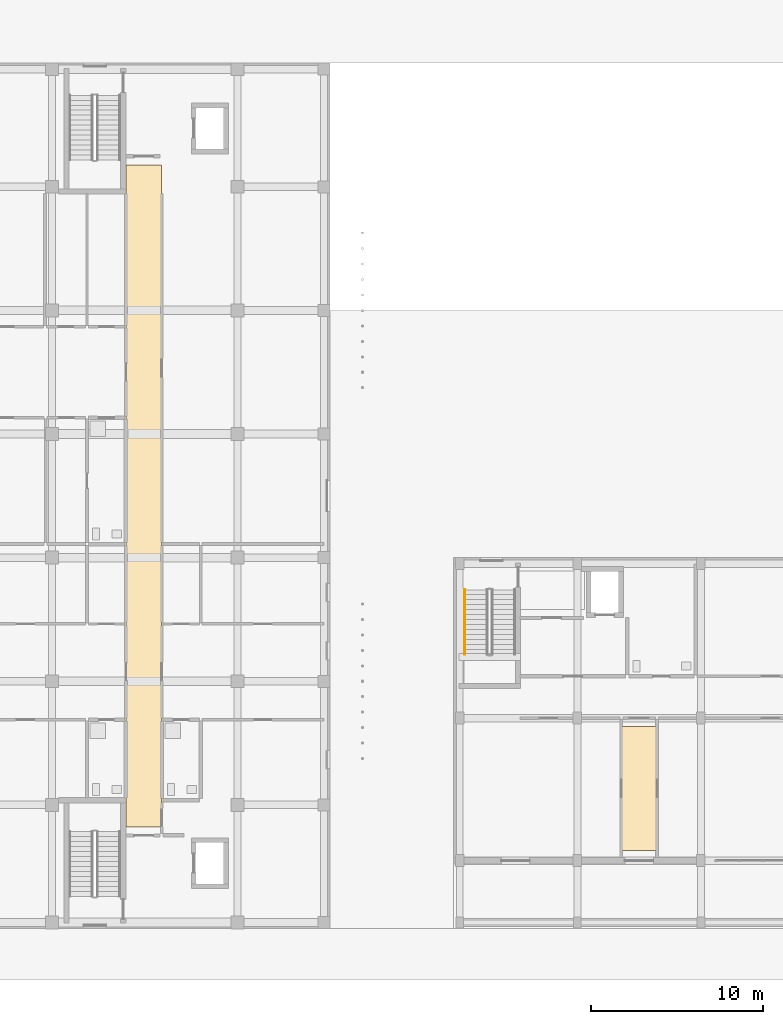
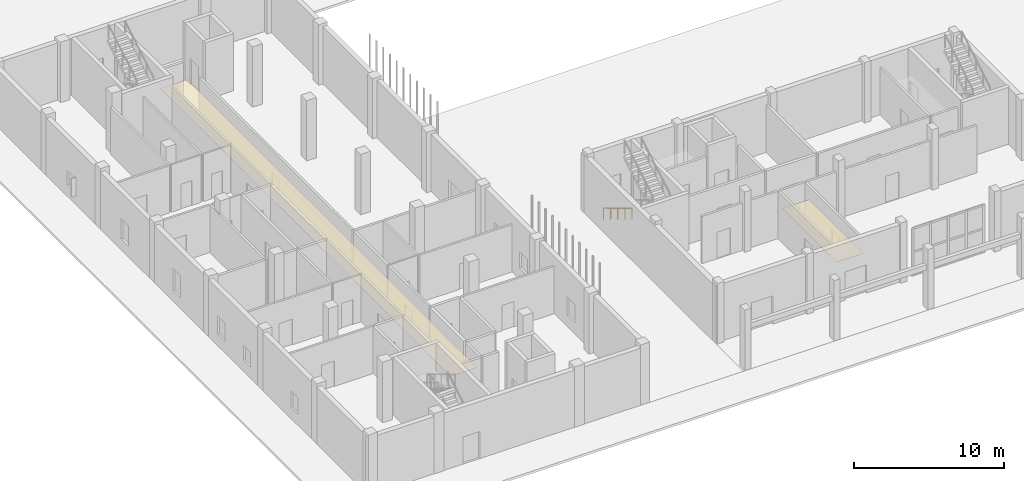
# One storey, part 59 of 85: 2 coverings, 1 railing.
"""IFC4 building model written with IfcOpenShell, lengths in metres."""

import ifcopenshell
import ifcopenshell.guid

model = None  # the IFC model being written
_history = None  # IfcOwnerHistory: only IFC2X3 demands one
_inside = {}  # id of a spatial element -> (the spatial element, [elements in it])
_under = {}  # id of a project, library or spatial element -> (it, [spatial elements below it])
_declared = {}  # id of a project -> (the project, [libraries it declares])
_typed = {}  # id of a type object -> (the type object, [elements of that type])
_made_of = {}  # id of a material, layer set ... -> (it, [elements and type objects made of it])


def new_model(schema):
    """Start an empty IFC model of exactly this schema.

    Asked for "IFC4X3", IfcOpenShell would pick the latest addendum, in which some entities
    have other attributes; the version numbers below select the first issue.
    IFC2X3 requires an IfcOwnerHistory on every rooted entity: one is made here for all.
    """
    global model, _history
    if schema == "IFC4X3":
        model = ifcopenshell.file(schema_version=(4, 3, 0, 0))
    else:
        model = ifcopenshell.file(schema=schema)
    _inside.clear()
    _under.clear()
    _declared.clear()
    _typed.clear()
    _made_of.clear()
    _history = None
    if model.schema == "IFC2X3":
        org = make("IfcOrganization", Name="unknown")
        user = make(
            "IfcPersonAndOrganization",
            ThePerson=make("IfcPerson", FamilyName="unknown"),
            TheOrganization=org,
        )
        app = make(
            "IfcApplication",
            ApplicationDeveloper=org,
            Version="unknown",
            ApplicationFullName="unknown",
            ApplicationIdentifier="unknown",
        )
        _history = make(
            "IfcOwnerHistory",
            OwningUser=user,
            OwningApplication=app,
            ChangeAction="ADDED",
            CreationDate=0,
        )
    return model


def make(cls, **values):
    """One entity of the class cls with the attributes given. An attribute that is None is left unset."""
    return model.create_entity(
        cls, **{name: value for name, value in values.items() if value is not None}
    )


def rooted(cls, **values):
    """An entity with a GlobalId (a new one), such as an element, a storey or a relation."""
    return make(cls, GlobalId=ifcopenshell.guid.new(), OwnerHistory=_history, **values)


def si_unit(unit_type, name, prefix=None):
    """IfcSIUnit, for example si_unit("LENGTHUNIT", "METRE", prefix="MILLI")."""
    return make("IfcSIUnit", UnitType=unit_type, Prefix=prefix, Name=name)


def derived_unit(unit_type, elements):
    """IfcDerivedUnit: a product of units, each with its exponent."""
    return make(
        "IfcDerivedUnit",
        Elements=[
            make("IfcDerivedUnitElement", Unit=unit, Exponent=power)
            for unit, power in elements
        ],
        UnitType=unit_type,
    )


def assignment(units):
    """IfcUnitAssignment: the units of a project."""
    return None if units is None else make("IfcUnitAssignment", Units=units)


def point(xyz):
    """IfcCartesianPoint."""
    return None if xyz is None else make("IfcCartesianPoint", Coordinates=xyz)


def direction(xyz):
    """IfcDirection."""
    return None if xyz is None else make("IfcDirection", DirectionRatios=xyz)


def frame(location, z_axis=None, x_axis=None):
    """IfcAxis2Placement3D, a coordinate frame: its origin and axes. An axis left out is left unset."""
    return make(
        "IfcAxis2Placement3D",
        Location=point(location),
        Axis=direction(z_axis),
        RefDirection=direction(x_axis),
    )


def frame_2d(location, x_axis=None):
    """IfcAxis2Placement2D, a coordinate frame in the plane: its origin and x axis."""
    return make(
        "IfcAxis2Placement2D", Location=point(location), RefDirection=direction(x_axis)
    )


def origin():
    """The frame at (0, 0, 0) with its axes left unset."""
    return frame((0.0, 0.0, 0.0))


def origin_2d():
    """The frame at (0, 0) in the plane with its x axis left unset."""
    return frame_2d((0.0, 0.0))


def place(relative_to, where):
    """IfcLocalPlacement: puts the frame where relative to a parent placement (None: the world)."""
    return make(
        "IfcLocalPlacement", PlacementRelTo=relative_to, RelativePlacement=where
    )


def context(
    kind, dimensions, precision=None, world=None, true_north=None, identifier=None
):
    """IfcGeometricRepresentationContext, for example the 3D "Model" context."""
    return make(
        "IfcGeometricRepresentationContext",
        ContextIdentifier=identifier,
        ContextType=kind,
        CoordinateSpaceDimension=dimensions,
        Precision=precision,
        WorldCoordinateSystem=world,
        TrueNorth=true_north,
    )


def subcontext(parent, identifier, kind, view, scale=None):
    """IfcGeometricRepresentationSubContext, for example "Body" below "Model"."""
    return make(
        "IfcGeometricRepresentationSubContext",
        ContextIdentifier=identifier,
        ContextType=kind,
        ParentContext=parent,
        TargetScale=scale,
        TargetView=view,
    )


def project(units=None, contexts=None):
    """IfcProject with its units and contexts."""
    return rooted(
        "IfcProject",
        Name="project",
        RepresentationContexts=contexts,
        UnitsInContext=assignment(units),
    )


def spatial(cls, under=None, at=None, **own):
    """A site, building, storey or space (cls), placed at a placement, below another one or the project."""
    s = rooted(cls, ObjectPlacement=at, **own)
    if under is not None:
        _under.setdefault(under.id(), (under, []))[1].append(s)
    return s


def polyline(points):
    """IfcPolyline through the points."""
    return make("IfcPolyline", Points=[point(p) for p in points])


def profile(cls, at=None, kind="AREA", **sizes):
    """A parametric profile (cls). Its sizes go by their IFC names, for example OverallWidth=200.0."""
    return make(cls, ProfileType=kind, Position=at, **sizes)


def circle(**sizes):
    """IfcCircleProfileDef."""
    return profile("IfcCircleProfileDef", **sizes)


def outline(outer, holes=None, kind="AREA"):
    """IfcArbitraryClosedProfileDef: a profile drawn as a closed curve; with holes, ...WithVoids."""
    if holes is None:
        return make("IfcArbitraryClosedProfileDef", ProfileType=kind, OuterCurve=outer)
    return make(
        "IfcArbitraryProfileDefWithVoids",
        ProfileType=kind,
        OuterCurve=outer,
        InnerCurves=holes,
    )


def extrude(swept, where, along, depth):
    """IfcExtrudedAreaSolid: the profile swept, set in the frame where, extruded along a direction by depth."""
    return make(
        "IfcExtrudedAreaSolid",
        SweptArea=swept,
        Position=where,
        ExtrudedDirection=direction(along),
        Depth=depth,
    )


def shape(context_of_items, identifier, shape_type, items):
    """IfcShapeRepresentation: the items that make up one representation, for example the "Body"."""
    return make(
        "IfcShapeRepresentation",
        ContextOfItems=context_of_items,
        RepresentationIdentifier=identifier,
        RepresentationType=shape_type,
        Items=items,
    )


def material(Name=None, Category=None):
    """IfcMaterial."""
    return make("IfcMaterial", Name=Name, Category=Category)


def layer(
    of_material, thickness, ventilated=None, Name=None, Category=None, Priority=None
):
    """IfcMaterialLayer: one layer of a wall or slab, of a material (None: an air gap)."""
    return make(
        "IfcMaterialLayer",
        Material=of_material,
        LayerThickness=thickness,
        IsVentilated=ventilated,
        Name=Name,
        Category=Category,
        Priority=Priority,
    )


def layer_set(layers, Name=None):
    """IfcMaterialLayerSet."""
    return make("IfcMaterialLayerSet", MaterialLayers=layers, LayerSetName=Name)


def made_of(thing, what):
    """Note that an element or type object is made of a material, layer set ...; save() writes the relation."""
    if what is not None:
        _made_of.setdefault(what.id(), (what, []))[1].append(thing)
    return thing


def type_object(cls, material=None, **own):
    """A type object (cls), such as IfcWallType, which elements share."""
    return made_of(rooted(cls, **own), material)


def element(
    cls,
    number,
    at=None,
    inside=None,
    cuts=None,
    type_object=None,
    material=None,
    context=None,
    identifier="Body",
    shape_type=None,
    held_by="IfcProductDefinitionShape",
    body=None,
    shapes=None,
    **own,
):
    """One element of the class cls, such as IfcWall. Its Tag is "e" and its number.

    at: its placement. inside: the storey or other place that contains it. cuts: it is an
    opening in that element (IfcRelVoidsElement). A single representation is given by context,
    identifier, shape_type and body (its items); several are given by shapes. held_by: the class
    of the entity that holds the representations. save() writes the other relations.
    """
    e = rooted(cls, Tag="e%d" % number, ObjectPlacement=at, **own)
    if body is not None:
        shapes = [shape(context, identifier, shape_type, body)]
    if shapes is not None:
        e.Representation = make(held_by, Representations=shapes)
    if inside is not None:
        _inside.setdefault(inside.id(), (inside, []))[1].append(e)
    if cuts is not None:
        rooted(
            "IfcRelVoidsElement", RelatingBuildingElement=cuts, RelatedOpeningElement=e
        )
    if type_object is not None:
        _typed.setdefault(type_object.id(), (type_object, []))[1].append(e)
    return made_of(e, material)


def aggregate(whole, parts):
    """IfcRelAggregates: a whole, such as a stair, and the parts it consists of."""
    return rooted("IfcRelAggregates", RelatingObject=whole, RelatedObjects=parts)


def save(model, path):
    """Write the relations noted so far, then the file.

    IfcRelAggregates (storeys below a building ...), IfcRelContainedInSpatialStructure (elements
    in a storey), IfcRelDefinesByType, IfcRelAssociatesMaterial and IfcRelDeclares: one each for
    every whole, place, type object, material and project.
    """
    for whole, parts in _under.values():
        aggregate(whole, parts)
    for where, things in _inside.values():
        rooted(
            "IfcRelContainedInSpatialStructure",
            RelatedElements=things,
            RelatingStructure=where,
        )
    for kind, things in _typed.values():
        rooted("IfcRelDefinesByType", RelatedObjects=things, RelatingType=kind)
    for what, things in _made_of.values():
        rooted("IfcRelAssociatesMaterial", RelatedObjects=things, RelatingMaterial=what)
    for by, libraries in _declared.values():
        rooted("IfcRelDeclares", RelatingContext=by, RelatedDefinitions=libraries)
    model.write(path)


model = new_model("IFC4")

# Units and contexts
model_context = context("Model", 3, precision=1e-05, world=origin(), true_north=direction((0.0, 1.0)))
body_context = subcontext(model_context, "Body", "Model", "MODEL_VIEW")
ifc_project = project(units=[si_unit("LENGTHUNIT", "METRE"), si_unit("AREAUNIT", "SQUARE_METRE"), si_unit("VOLUMEUNIT", "CUBIC_METRE"), si_unit("PLANEANGLEUNIT", "RADIAN"), si_unit("MASSUNIT", "GRAM", prefix="KILO"), derived_unit("THERMALTRANSMITTANCEUNIT", [(si_unit("MASSUNIT", "GRAM", prefix="KILO"), 1), (si_unit("TIMEUNIT", "SECOND"), -3), (si_unit("THERMODYNAMICTEMPERATUREUNIT", "KELVIN"), -1)])], contexts=[model_context])

# Site, building, storey
site_placement = place(None, origin())
site = spatial("IfcSite", under=ifc_project, at=site_placement, CompositionType="ELEMENT")
building_placement = place(site_placement, origin())
building = spatial("IfcBuilding", under=site, at=building_placement, Name="Ochrekiln Boulevard Commons", CompositionType="ELEMENT")
storey_placement = place(building_placement, origin())
storey = spatial("IfcBuildingStorey", under=building, at=storey_placement, Name="L00", CompositionType="ELEMENT", Elevation=0.0)

# Coverings
ifc_material_1 = material(Name="Mineral-fibre acoustic ceiling tile")
ifc_layer = layer(ifc_material_1, 0.02490234375)
ifc_layer_set = layer_set([ifc_layer], Name="Mineral-fibre acoustic ceiling tile")
covering_type = type_object("IfcCoveringType", Name="COV-CEIL-AC", PredefinedType="CEILING", material=ifc_layer_set)
covering_1_placement = place(storey_placement, frame((0.0, 0.0, 2.64990234375)))
element("IfcCovering", 1, at=covering_1_placement, inside=storey, type_object=covering_type, Name="L00 Acoustic Corridor Ceiling 4", PredefinedType="CEILING", context=body_context, shape_type="SweptSolid", body=[
    extrude(outline(polyline([(9.719970703125, 5.919921875), (11.780029296875, 5.919921875), (11.780029296875, 44.47998046875), (9.719970703125, 44.47998046875), (9.719970703125, 5.919921875)])), origin(), (0.0, 0.0, 1.0), 0.025146484375),
])
covering_2_placement = place(storey_placement, frame((0.0, 0.0, 2.64990234375)))
element("IfcCovering", 2, at=covering_2_placement, inside=storey, type_object=covering_type, Name="L00 Acoustic Corridor Ceiling 11", PredefinedType="CEILING", context=body_context, shape_type="SweptSolid", body=[
    extrude(outline(polyline([(38.570068359375, 4.5400390625), (40.6298828125, 4.5400390625), (40.6298828125, 11.760009765625), (38.570068359375, 11.760009765625), (38.570068359375, 4.5400390625)])), origin(), (0.0, 0.0, 1.0), 0.025146484375),
])

# Railing
ifc_material_2 = material(Name="Brushed stainless steel 316 tubular railing", Category="steel")
railing_type = type_object("IfcRailingType", Name="RLG-HDR-900", PredefinedType="HANDRAIL", material=ifc_material_2)
railing_placement = place(storey_placement, frame((29.449951171875, 19.72998046875, 0.175048828125)))
element("IfcRailing", 3, at=railing_placement, inside=storey, type_object=railing_type, Name="L00 ST-W1 stair handrail 1", PredefinedType="HANDRAIL", context=body_context, shape_type="SweptSolid", body=[
    extrude(circle(Radius=0.02392578125, at=origin_2d()), frame((0.0, 0.0, 0.8759765625), z_axis=(0.0, -0.856198655849, 0.51664674752), x_axis=(1.0, 0.0, 0.0)), (0.0, 0.0, 1.0), 4.4033203125),
    extrude(circle(Radius=0.02099609375, at=origin_2d()), origin(), (0.0, 0.0, 1.0), 0.851806640625),
    extrude(circle(Radius=0.02099609375, at=origin_2d()), frame((0.0, -0.9423828125, 0.56884765625)), (0.0, 0.0, 1.0), 0.851806640625),
    extrude(circle(Radius=0.02099609375, at=origin_2d()), frame((0.0, -1.885009765625, 1.137451171875)), (0.0, 0.0, 1.0), 0.851806640625),
    extrude(circle(Radius=0.02099609375, at=origin_2d()), frame((0.0, -2.82763671875, 1.7060546875)), (0.0, 0.0, 1.0), 0.851806640625),
    extrude(circle(Radius=0.02099609375, at=origin_2d()), frame((0.0, -3.77001953125, 2.27490234375)), (0.0, 0.0, 1.0), 0.851806640625),
])

save(model, "model.ifc")
